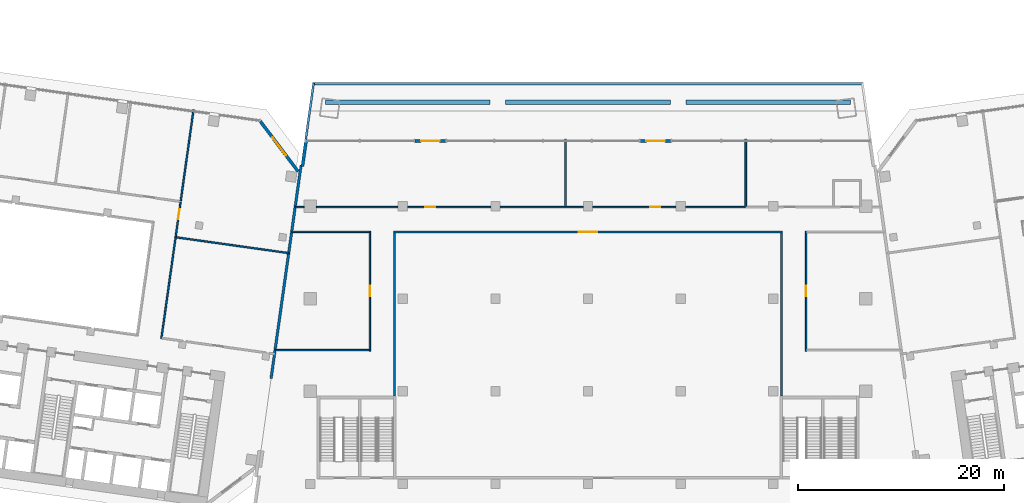
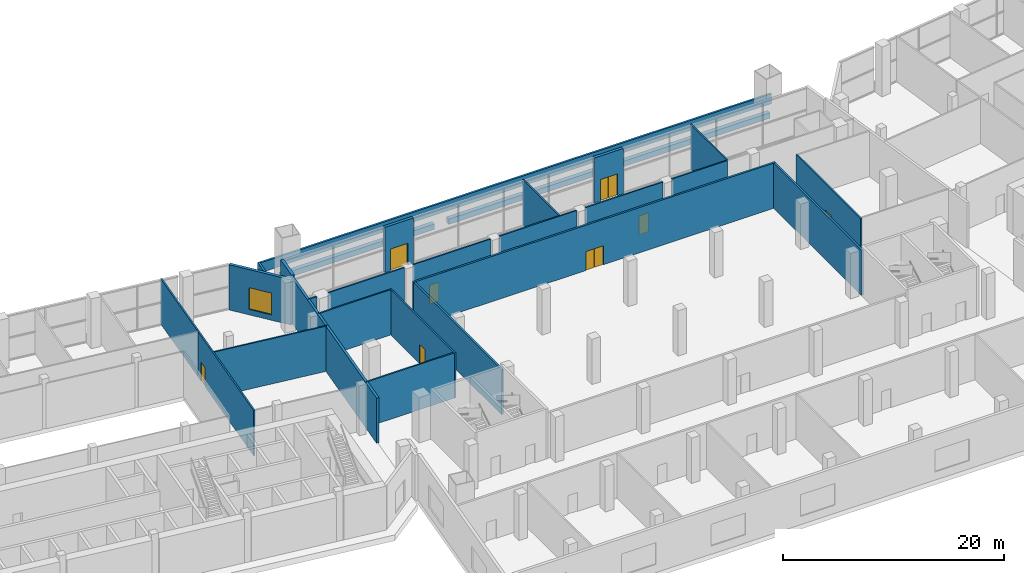
# One storey, part 14 of 23: 28 walls, 8 doors, 1 window, 9 openings.
"""IFC4 building model written with IfcOpenShell, lengths in metres."""

from ifc_helpers import new_model, si_unit, direction, frame, frame_2d, origin, place, context, subcontext, project, spatial, rectangle, extrude, material, layer, layer_set, type_object, element, fill, save


model = new_model("IFC4")

# Units and contexts
model_context = context("Model", 3, precision=1e-05, world=origin(), true_north=direction((0.0, 1.0)))
body_context = subcontext(model_context, "Body", "Model", "MODEL_VIEW")
ifc_project = project(units=[si_unit("LENGTHUNIT", "METRE"), si_unit("AREAUNIT", "SQUARE_METRE"), si_unit("VOLUMEUNIT", "CUBIC_METRE"), si_unit("PLANEANGLEUNIT", "RADIAN"), si_unit("MASSUNIT", "GRAM", prefix="KILO")], contexts=[model_context])

# Site, building, storey
site_placement = place(None, origin())
site = spatial("IfcSite", under=ifc_project, at=site_placement, CompositionType="ELEMENT")
building_placement = place(site_placement, origin())
building = spatial("IfcBuilding", under=site, at=building_placement, Name="Mirante Cascada Hotel Towers", CompositionType="ELEMENT")
storey_placement = place(building_placement, frame((0.0, 0.0, 23.5)))
storey = spatial("IfcBuildingStorey", under=building, at=storey_placement, Name="L03", CompositionType="ELEMENT", Elevation=23.5)

# Walls
ifc_material_1 = material(Name="Masonry block", Category="masonry")
ifc_layer_1 = layer(ifc_material_1, 0.15)
ifc_layer_set_1 = layer_set([ifc_layer_1], Name="Corridor wall 150 block")
wall_type_1 = type_object("IfcWallType", Name="Corridor wall 150 block", PredefinedType="PARTITIONING", material=ifc_layer_set_1)
wall_1_placement = place(storey_placement, frame((-30.4216, -5.0, 0.0), z_axis=(0.0, 0.0, 1.0), x_axis=(1.0, 0.0, 0.0)))
element("IfcWall", 1, at=wall_1_placement, inside=storey, type_object=wall_type_1, Name="Corridor wall P L03", PredefinedType="PARTITIONING", context=body_context, shape_type="SweptSolid", body=[
    extrude(rectangle(XDim=9.1466, YDim=0.15, at=frame_2d((4.5733, 0.0))), origin(), (0.0, 0.0, 1.0), 5.0),
])
wall_2_placement = place(storey_placement, frame((-28.8054, 6.5, 0.0), z_axis=(0.0, 0.0, 1.0), x_axis=(1.0, 0.0, 0.0)))
element("IfcWall", 2, at=wall_2_placement, inside=storey, type_object=wall_type_1, Name="Corridor wall P L03", PredefinedType="PARTITIONING", context=body_context, shape_type="SweptSolid", body=[
    extrude(rectangle(XDim=7.5404, YDim=0.15, at=frame_2d((3.7702, 0.0))), origin(), (0.0, 0.0, 1.0), 5.0),
])
wall_3_placement = place(storey_placement, frame((-28.4681, 8.9, 0.0), z_axis=(0.0, 0.0, 1.0), x_axis=(1.0, 0.0, 0.0)))
element("IfcWall", 3, at=wall_3_placement, inside=storey, type_object=wall_type_1, Name="Corridor wall P L03", PredefinedType="PARTITIONING", context=body_context, shape_type="SweptSolid", body=[
    extrude(rectangle(XDim=0.8681, YDim=0.15, at=frame_2d((0.434, 0.0))), origin(), (0.0, 0.0, 1.0), 5.0),
])

# Wall, opening, door
wall_4_placement = place(storey_placement, frame((21.2, -5.085, 0.0), z_axis=(0.0, 0.0, 1.0), x_axis=(0.0, 1.0, 0.0)))
wall_4 = element("IfcWall", 4, at=wall_4_placement, inside=storey, type_object=wall_type_1, Name="Corridor wall P L03", PredefinedType="PARTITIONING", context=body_context, shape_type="SweptSolid", body=[
    extrude(rectangle(XDim=11.66, YDim=0.15, at=frame_2d((5.83, 0.0))), origin(), (0.0, 0.0, 1.0), 5.0),
])
opening_1_placement = place(wall_4_placement, frame((5.335, 0.0, 0.0)))
opening_1 = element("IfcOpeningElement", 5, at=opening_1_placement, cuts=wall_4, Name="Opening DP-L03-08", PredefinedType="OPENING", context=body_context, shape_type="SweptSolid", body=[
    extrude(rectangle(XDim=1.0, YDim=2.1, at=frame_2d((0.5, 1.05))), frame((0.0, 0.075, 0.0), z_axis=(0.0, -1.0, 0.0), x_axis=(1.0, 0.0, 0.0)), (0.0, 0.0, 1.0), 0.15),
])
ifc_material_2 = material(Name="Timber door leaf", Category="wood")
door_type_1 = type_object("IfcDoorType", Name="Single door 1000x2100", OperationType="NOTDEFINED", PredefinedType="DOOR", material=ifc_material_2)
door_1_placement = place(opening_1_placement, origin())
door_1 = element("IfcDoor", 6, at=door_1_placement, inside=storey, type_object=door_type_1, Name="Door DP-L03-08", OperationType="SINGLE_SWING_RIGHT", OverallHeight=2.1, OverallWidth=1.0, PredefinedType="DOOR", context=body_context, shape_type="SweptSolid", body=[
    extrude(rectangle(XDim=1.0, YDim=2.1, at=frame_2d((0.5, 1.05))), frame((0.0, 0.025, 0.0), z_axis=(0.0, -1.0, 0.0), x_axis=(1.0, 0.0, 0.0)), (0.0, 0.0, 1.0), 0.05),
])
fill(opening_1, door_1)

wall_5_placement = place(storey_placement, frame((-21.2, -5.085, 0.0), z_axis=(0.0, 0.0, 1.0), x_axis=(0.0, 1.0, 0.0)))
wall_5 = element("IfcWall", 7, at=wall_5_placement, inside=storey, type_object=wall_type_1, Name="Corridor wall P L03", PredefinedType="PARTITIONING", context=body_context, shape_type="SweptSolid", body=[
    extrude(rectangle(XDim=11.66, YDim=0.15, at=frame_2d((5.83, 0.0))), origin(), (0.0, 0.0, 1.0), 5.0),
])
opening_2_placement = place(wall_5_placement, frame((5.335, 0.0, 0.0)))
opening_2 = element("IfcOpeningElement", 8, at=opening_2_placement, cuts=wall_5, Name="Opening DP-L03-07", PredefinedType="OPENING", context=body_context, shape_type="SweptSolid", body=[
    extrude(rectangle(XDim=1.0, YDim=2.1, at=frame_2d((0.5, 1.05))), frame((0.0, 0.075, 0.0), z_axis=(0.0, -1.0, 0.0), x_axis=(1.0, 0.0, 0.0)), (0.0, 0.0, 1.0), 0.15),
])
door_2_placement = place(opening_2_placement, origin())
door_2 = element("IfcDoor", 9, at=door_2_placement, inside=storey, type_object=door_type_1, Name="Door DP-L03-07", OperationType="SINGLE_SWING_LEFT", OverallHeight=2.1, OverallWidth=1.0, PredefinedType="DOOR", context=body_context, shape_type="SweptSolid", body=[
    extrude(rectangle(XDim=1.0, YDim=2.1, at=frame_2d((0.5, 1.05))), frame((0.0, 0.025, 0.0), z_axis=(0.0, -1.0, 0.0), x_axis=(1.0, 0.0, 0.0)), (0.0, 0.0, 1.0), 0.05),
])
fill(opening_2, door_2)

wall_6_placement = place(storey_placement, frame((-41.4756, -3.8964, 0.0), z_axis=(0.0, 0.0, 1.0), x_axis=(0.1391716, 0.9902683, 0.0)))
wall_6 = element("IfcWall", 10, at=wall_6_placement, inside=storey, type_object=wall_type_1, Name="Corridor wall T1 L03", PredefinedType="PARTITIONING", context=body_context, shape_type="SweptSolid", body=[
    extrude(rectangle(XDim=13.4, YDim=0.15, at=frame_2d((6.7, 0.0))), origin(), (0.0, 0.0, 1.0), 5.0),
])
opening_3_placement = place(wall_6_placement, frame((11.7325, 0.0, 0.0)))
opening_3 = element("IfcOpeningElement", 11, at=opening_3_placement, cuts=wall_6, Name="Opening DP1-L03-02", PredefinedType="OPENING", context=body_context, shape_type="SweptSolid", body=[
    extrude(rectangle(XDim=1.0, YDim=2.1, at=frame_2d((0.5, 1.05))), frame((0.0, 0.075, 0.0), z_axis=(0.0, -1.0, 0.0), x_axis=(1.0, 0.0, 0.0)), (0.0, 0.0, 1.0), 0.15),
])
door_3_placement = place(opening_3_placement, frame((1.0, 0.0, 0.0), z_axis=(0.0, 0.0, 1.0), x_axis=(-1.0, 0.0, 0.0)))
door_3 = element("IfcDoor", 12, at=door_3_placement, inside=storey, type_object=door_type_1, Name="Door DP1-L03-02", OperationType="SINGLE_SWING_RIGHT", OverallHeight=2.1, OverallWidth=1.0, PredefinedType="DOOR", context=body_context, shape_type="SweptSolid", body=[
    extrude(rectangle(XDim=1.0, YDim=2.1, at=frame_2d((0.5, 1.05))), frame((0.0, 0.025, 0.0), z_axis=(0.0, -1.0, 0.0), x_axis=(1.0, 0.0, 0.0)), (0.0, 0.0, 1.0), 0.05),
])
fill(opening_3, door_3)

# Wall
wall_7_placement = place(storey_placement, frame((-26.4, 8.9, 0.0), z_axis=(0.0, 0.0, 1.0), x_axis=(1.0, 0.0, 0.0)))
element("IfcWall", 13, at=wall_7_placement, inside=storey, type_object=wall_type_1, Name="Corridor wall P L03", PredefinedType="PARTITIONING", context=body_context, shape_type="SweptSolid", body=[
    extrude(rectangle(XDim=7.95, YDim=0.15, at=frame_2d((3.975, 0.0))), origin(), (0.0, 0.0, 1.0), 5.0),
])

# Wall, opening, door
wall_8_placement = place(storey_placement, frame((-17.55, 8.9, 0.0), z_axis=(0.0, 0.0, 1.0), x_axis=(1.0, 0.0, 0.0)))
wall_8 = element("IfcWall", 14, at=wall_8_placement, inside=storey, type_object=wall_type_1, Name="Corridor wall P L03", PredefinedType="PARTITIONING", context=body_context, shape_type="SweptSolid", body=[
    extrude(rectangle(XDim=8.1, YDim=0.15, at=frame_2d((4.05, 0.0))), origin(), (0.0, 0.0, 1.0), 5.0),
])
opening_4_placement = place(wall_8_placement, frame((1.721, 0.0, 0.0)))
opening_4 = element("IfcOpeningElement", 15, at=opening_4_placement, cuts=wall_8, Name="Opening DP-L03-15", PredefinedType="OPENING", context=body_context, shape_type="SweptSolid", body=[
    extrude(rectangle(XDim=1.0, YDim=2.1, at=frame_2d((0.5, 1.05))), frame((0.0, 0.075, 0.0), z_axis=(0.0, -1.0, 0.0), x_axis=(1.0, 0.0, 0.0)), (0.0, 0.0, 1.0), 0.15),
])
door_4_placement = place(opening_4_placement, origin())
door_4 = element("IfcDoor", 16, at=door_4_placement, inside=storey, type_object=door_type_1, Name="Door DP-L03-15", OperationType="SINGLE_SWING_LEFT", OverallHeight=2.1, OverallWidth=1.0, PredefinedType="DOOR", context=body_context, shape_type="SweptSolid", body=[
    extrude(rectangle(XDim=1.0, YDim=2.1, at=frame_2d((0.5, 1.05))), frame((0.0, 0.025, 0.0), z_axis=(0.0, -1.0, 0.0), x_axis=(1.0, 0.0, 0.0)), (0.0, 0.0, 1.0), 0.05),
])
fill(opening_4, door_4)

# Wall
wall_9_placement = place(storey_placement, frame((-8.55, 8.9, 0.0), z_axis=(0.0, 0.0, 1.0), x_axis=(1.0, 0.0, 0.0)))
element("IfcWall", 17, at=wall_9_placement, inside=storey, type_object=wall_type_1, Name="Corridor wall P L03", PredefinedType="PARTITIONING", context=body_context, shape_type="SweptSolid", body=[
    extrude(rectangle(XDim=8.1, YDim=0.15, at=frame_2d((4.05, 0.0))), origin(), (0.0, 0.0, 1.0), 5.0),
])

# Wall, opening, door
wall_10_placement = place(storey_placement, frame((0.45, 8.9, 0.0), z_axis=(0.0, 0.0, 1.0), x_axis=(1.0, 0.0, 0.0)))
wall_10 = element("IfcWall", 18, at=wall_10_placement, inside=storey, type_object=wall_type_1, Name="Corridor wall P L03", PredefinedType="PARTITIONING", context=body_context, shape_type="SweptSolid", body=[
    extrude(rectangle(XDim=8.1, YDim=0.15, at=frame_2d((4.05, 0.0))), origin(), (0.0, 0.0, 1.0), 5.0),
])
opening_5_placement = place(wall_10_placement, frame((5.5871, 0.0, 0.0)))
opening_5 = element("IfcOpeningElement", 19, at=opening_5_placement, cuts=wall_10, Name="Opening DP-L03-16", PredefinedType="OPENING", context=body_context, shape_type="SweptSolid", body=[
    extrude(rectangle(XDim=1.0, YDim=2.1, at=frame_2d((0.5, 1.05))), frame((0.0, 0.075, 0.0), z_axis=(0.0, -1.0, 0.0), x_axis=(1.0, 0.0, 0.0)), (0.0, 0.0, 1.0), 0.15),
])
door_5_placement = place(opening_5_placement, frame((1.0, 0.0, 0.0), z_axis=(0.0, 0.0, 1.0), x_axis=(-1.0, 0.0, 0.0)))
door_5 = element("IfcDoor", 20, at=door_5_placement, inside=storey, type_object=door_type_1, Name="Door DP-L03-16", OperationType="SINGLE_SWING_RIGHT", OverallHeight=2.1, OverallWidth=1.0, PredefinedType="DOOR", context=body_context, shape_type="SweptSolid", body=[
    extrude(rectangle(XDim=1.0, YDim=2.1, at=frame_2d((0.5, 1.05))), frame((0.0, 0.025, 0.0), z_axis=(0.0, -1.0, 0.0), x_axis=(1.0, 0.0, 0.0)), (0.0, 0.0, 1.0), 0.05),
])
fill(opening_5, door_5)

# Wall
wall_11_placement = place(storey_placement, frame((9.45, 8.9, 0.0), z_axis=(0.0, 0.0, 1.0), x_axis=(1.0, 0.0, 0.0)))
element("IfcWall", 21, at=wall_11_placement, inside=storey, type_object=wall_type_1, Name="Corridor wall P L03", PredefinedType="PARTITIONING", context=body_context, shape_type="SweptSolid", body=[
    extrude(rectangle(XDim=5.814, YDim=0.15, at=frame_2d((2.907, 0.0))), origin(), (0.0, 0.0, 1.0), 5.0),
])

# Wall, opening, door
ifc_material_3 = material(Name="Masonry block", Category="masonry")
ifc_layer_2 = layer(ifc_material_3, 0.2)
ifc_layer_set_2 = layer_set([ifc_layer_2], Name="Hall wall 200 block")
wall_type_2 = type_object("IfcWallType", Name="Hall wall 200 block", PredefinedType="PARTITIONING", material=ifc_layer_set_2)
wall_12_placement = place(storey_placement, frame((-18.91, 6.5, 0.0), z_axis=(0.0, 0.0, 1.0), x_axis=(1.0, 0.0, 0.0)))
wall_12 = element("IfcWall", 22, at=wall_12_placement, inside=storey, type_object=wall_type_2, Name="Hall wall P L03", PredefinedType="PARTITIONING", context=body_context, shape_type="SweptSolid", body=[
    extrude(rectangle(XDim=37.82, YDim=0.2, at=frame_2d((18.91, 0.0))), origin(), (0.0, 0.0, 1.0), 5.0),
])
opening_6_placement = place(wall_12_placement, frame((18.01, 0.0, 0.0)))
opening_6 = element("IfcOpeningElement", 23, at=opening_6_placement, cuts=wall_12, Name="Opening DP-L03-06", PredefinedType="OPENING", context=body_context, shape_type="SweptSolid", body=[
    extrude(rectangle(XDim=1.8, YDim=2.1, at=frame_2d((0.9, 1.05))), frame((0.0, 0.1, 0.0), z_axis=(0.0, -1.0, 0.0), x_axis=(1.0, 0.0, 0.0)), (0.0, 0.0, 1.0), 0.2),
])
ifc_material_4 = material(Name="Timber door leaf", Category="wood")
door_type_2 = type_object("IfcDoorType", Name="Double door 1800x2100", OperationType="DOUBLE_DOOR_SINGLE_SWING", PredefinedType="DOOR", material=ifc_material_4)
door_6_placement = place(opening_6_placement, origin())
door_6 = element("IfcDoor", 24, at=door_6_placement, inside=storey, type_object=door_type_2, Name="Door DP-L03-06", OperationType="DOUBLE_DOOR_SINGLE_SWING", OverallHeight=2.1, OverallWidth=1.8, PredefinedType="DOOR", context=body_context, shape_type="SweptSolid", body=[
    extrude(rectangle(XDim=0.895, YDim=2.1, at=frame_2d((0.4475, 1.05))), frame((0.0, 0.025, 0.0), z_axis=(0.0, -1.0, 0.0), x_axis=(1.0, 0.0, 0.0)), (0.0, 0.0, 1.0), 0.05),
    extrude(rectangle(XDim=0.895, YDim=2.1, at=frame_2d((1.3525, 1.05))), frame((0.0, 0.025, 0.0), z_axis=(0.0, -1.0, 0.0), x_axis=(1.0, 0.0, 0.0)), (0.0, 0.0, 1.0), 0.05),
])
fill(opening_6, door_6)

# Walls
for number, where, z_axis, x_axis, name in (
    (25, (18.8, -9.475, 0.0), (0.0, 0.0, 1.0), (0.0, 1.0, 0.0), "Hall wall P L03"),
    (26, (-18.8, -9.475, 0.0), (0.0, 0.0, 1.0), (0.0, 1.0, 0.0), "Hall wall P L03"),
):
    element("IfcWall", number, at=place(storey_placement, frame(where, z_axis=z_axis, x_axis=x_axis)), inside=storey, type_object=wall_type_2, Name=name, PredefinedType="PARTITIONING", context=body_context, shape_type="SweptSolid", body=[
        extrude(rectangle(XDim=15.875, YDim=0.2, at=frame_2d((7.9375, 0.0))), origin(), (0.0, 0.0, 1.0), 5.0),
    ])
ifc_material_5 = material(Name="Masonry block", Category="masonry")
ifc_layer_3 = layer(ifc_material_5, 0.15)
ifc_layer_set_3 = layer_set([ifc_layer_3], Name="Partition 150 block")
wall_type_3 = type_object("IfcWallType", Name="Partition 150 block", PredefinedType="PARTITIONING", material=ifc_layer_set_3)
wall_13_placement = place(storey_placement, frame((-2.1899, 8.975, 0.0), z_axis=(0.0, 0.0, 1.0), x_axis=(0.0, 1.0, 0.0)))
element("IfcWall", 27, at=wall_13_placement, inside=storey, type_object=wall_type_3, Name="Partition P L03", PredefinedType="PARTITIONING", context=body_context, shape_type="SweptSolid", body=[
    extrude(rectangle(XDim=6.525, YDim=0.15, at=frame_2d((3.2625, 0.0))), origin(), (0.0, 0.0, 1.0), 5.0),
])
wall_14_placement = place(storey_placement, frame((-40.0131, 5.9711, 0.0), z_axis=(0.0, 0.0, 1.0), x_axis=(0.9902679, -0.1391746, 0.0)))
element("IfcWall", 28, at=wall_14_placement, inside=storey, type_object=wall_type_3, Name="Partition T1 L03", PredefinedType="PARTITIONING", context=body_context, shape_type="SweptSolid", body=[
    extrude(rectangle(XDim=11.025, YDim=0.15, at=frame_2d((5.5125, 0.0))), origin(), (0.0, 0.0, 1.0), 5.0),
])
wall_15_placement = place(storey_placement, frame((-39.5912, 9.5119, 0.0), z_axis=(0.0, 0.0, 1.0), x_axis=(0.1391725, 0.9902682, 0.0)))
element("IfcWall", 29, at=wall_15_placement, inside=storey, type_object=wall_type_3, Name="Partition T1 L03", PredefinedType="PARTITIONING", context=body_context, shape_type="SweptSolid", body=[
    extrude(rectangle(XDim=8.935, YDim=0.15, at=frame_2d((4.4675, 0.0))), origin(), (0.0, 0.0, 1.0), 5.0),
])
ifc_material_6 = material(Name="Masonry block", Category="masonry")
ifc_layer_4 = layer(ifc_material_6, 0.25)
ifc_layer_set_4 = layer_set([ifc_layer_4], Name="Plant room wall 250 block EI 120")
wall_type_4 = type_object("IfcWallType", Name="Plant room wall 250 block EI 120", PredefinedType="PARTITIONING", material=ifc_layer_set_4)
wall_16_placement = place(storey_placement, frame((-30.8072, -7.7436, 0.0), z_axis=(0.0, 0.0, 1.0), x_axis=(0.1391737, 0.990268, 0.0)))
element("IfcWall", 30, at=wall_16_placement, inside=storey, type_object=wall_type_4, Name="Compartment wall T1 L03", PredefinedType="PARTITIONING", context=body_context, shape_type="SweptSolid", body=[
    extrude(rectangle(XDim=20.9501, YDim=0.25, at=frame_2d((10.475, 0.0))), origin(), (0.0, 0.0, 1.0), 5.0),
])
ifc_material_7 = material(Name="Precast concrete C40/50", Category="concrete")
ifc_layer_5 = layer(ifc_material_7, 0.45)
ifc_layer_set_5 = layer_set([ifc_layer_5], Name="Planter wall 450 concrete C40/50")
wall_type_5 = type_object("IfcWallType", Name="Planter wall 450 concrete C40/50", PredefinedType="PARAPET", material=ifc_layer_set_5)
for number, where, z_axis, x_axis, name in (
    (31, (-25.5198, 19.1, 0.0), (0.0, 0.0, 1.0), (1.0, 0.0, 0.0), "PLANTER podium L02 bed 1.1"),
    (32, (-8.0066, 19.1, 0.0), (0.0, 0.0, 1.0), (1.0, 0.0, 0.0), "PLANTER podium L02 bed 1.2"),
    (33, (9.5066, 19.1, 0.0), (0.0, 0.0, 1.0), (1.0, 0.0, 0.0), "PLANTER podium L02 bed 1.3"),
):
    element("IfcWall", number, at=place(storey_placement, frame(where, z_axis=z_axis, x_axis=x_axis)), inside=storey, type_object=wall_type_5, Name=name, PredefinedType="PARAPET", context=body_context, shape_type="SweptSolid", body=[
        extrude(rectangle(XDim=16.0132, YDim=0.45, at=frame_2d((8.0066, 0.0))), origin(), (0.0, 0.0, 1.0), 0.6),
    ])

# Wall, opening, window
ifc_material_8 = material(Name="Precast concrete C40/50", Category="concrete")
ifc_layer_6 = layer(ifc_material_8, 0.3)
ifc_layer_set_6 = layer_set([ifc_layer_6], Name="Precast concrete C40/50 cladding wall 300")
wall_type_6 = type_object("IfcWallType", Name="Precast concrete C40/50 cladding wall 300", PredefinedType="STANDARD", material=ifc_layer_set_6)
wall_17_placement = place(storey_placement, frame((-31.857, 17.252, 0.0), z_axis=(0.0, 0.0, 1.0), x_axis=(0.6018141, -0.7986362, 0.0)))
wall_17 = element("IfcWall", 34, at=wall_17_placement, inside=storey, type_object=wall_type_6, Name="Corner cladding wall T1 L03 front inner", PredefinedType="STANDARD", context=body_context, shape_type="SweptSolid", body=[
    extrude(rectangle(XDim=6.1157, YDim=0.3, at=frame_2d((3.0578, 0.0))), origin(), (0.0, 0.0, 1.0), 5.0),
])
opening_7_placement = place(wall_17_placement, frame((1.9578, 0.0, 0.6)))
opening_7 = element("IfcOpeningElement", 35, at=opening_7_placement, cuts=wall_17, Name="Opening W1-03-04", PredefinedType="OPENING", context=body_context, shape_type="SweptSolid", body=[
    extrude(rectangle(XDim=2.2, YDim=2.4, at=frame_2d((1.1, 1.2))), frame((0.0, 0.15, 0.0), z_axis=(0.0, -1.0, 0.0), x_axis=(1.0, 0.0, 0.0)), (0.0, 0.0, 1.0), 0.3),
])
ifc_material_9 = material(Name="Aluminium frame with clear double glazing", Category="aluminium")
window_type = type_object("IfcWindowType", Name="Corner suite window 2200x2400", PartitioningType="DOUBLE_PANEL_VERTICAL", PredefinedType="WINDOW", material=ifc_material_9)
window_placement = place(opening_7_placement, origin())
window = element("IfcWindow", 36, at=window_placement, inside=storey, type_object=window_type, Name="Window W1-03-04", OverallHeight=2.4, OverallWidth=2.2, PartitioningType="SINGLE_PANEL", PredefinedType="WINDOW", context=body_context, shape_type="SweptSolid", body=[
    extrude(rectangle(XDim=2.2, YDim=2.4, at=frame_2d((1.1, 1.2))), frame((0.0, 0.03, 0.0), z_axis=(0.0, -1.0, 0.0), x_axis=(1.0, 0.0, 0.0)), (0.0, 0.0, 1.0), 0.06),
])
fill(opening_7, window)

# Wall, opening, door
wall_18_placement = place(storey_placement, frame((8.07, 15.35, 0.0), z_axis=(0.0, 0.0, 1.0), x_axis=(-1.0, 0.0, 0.0)))
wall_18 = element("IfcWall", 37, at=wall_18_placement, inside=storey, type_object=wall_type_6, Name="Entrance pier wall L03 P:L03:3:2", PredefinedType="STANDARD", context=body_context, shape_type="SweptSolid", body=[
    extrude(rectangle(XDim=3.0, YDim=0.3, at=frame_2d((1.5, 0.0))), origin(), (0.0, 0.0, 1.0), 5.0),
])
opening_8_placement = place(wall_18_placement, frame((0.6, 0.0, 0.0)))
opening_8 = element("IfcOpeningElement", 38, at=opening_8_placement, cuts=wall_18, Name="Opening DP-03-91", PredefinedType="OPENING", context=body_context, shape_type="SweptSolid", body=[
    extrude(rectangle(XDim=1.8, YDim=2.4, at=frame_2d((0.9, 1.2))), frame((0.0, 0.15, 0.0), z_axis=(0.0, -1.0, 0.0), x_axis=(1.0, 0.0, 0.0)), (0.0, 0.0, 1.0), 0.3),
])
ifc_material_10 = material(Name="Aluminium frame with clear laminated glazing", Category="aluminium")
door_type_3 = type_object("IfcDoorType", Name="Terrace double door 1800x2400", OperationType="DOUBLE_DOOR_SINGLE_SWING", PredefinedType="DOOR", material=ifc_material_10)
door_7_placement = place(opening_8_placement, origin())
door_7 = element("IfcDoor", 39, at=door_7_placement, inside=storey, type_object=door_type_3, Name="Spa relaxation lounge door DP-03-91", OperationType="DOUBLE_DOOR_SINGLE_SWING", OverallHeight=2.4, OverallWidth=1.8, PredefinedType="DOOR", context=body_context, shape_type="SweptSolid", body=[
    extrude(rectangle(XDim=0.895, YDim=2.4, at=frame_2d((0.4475, 1.2))), frame((0.0, 0.025, 0.0), z_axis=(0.0, -1.0, 0.0), x_axis=(1.0, 0.0, 0.0)), (0.0, 0.0, 1.0), 0.05),
    extrude(rectangle(XDim=0.895, YDim=2.4, at=frame_2d((1.3525, 1.2))), frame((0.0, 0.025, 0.0), z_axis=(0.0, -1.0, 0.0), x_axis=(1.0, 0.0, 0.0)), (0.0, 0.0, 1.0), 0.05),
])
fill(opening_8, door_7)

wall_19_placement = place(storey_placement, frame((-13.829, 15.35, 0.0), z_axis=(0.0, 0.0, 1.0), x_axis=(-1.0, 0.0, 0.0)))
wall_19 = element("IfcWall", 40, at=wall_19_placement, inside=storey, type_object=wall_type_6, Name="Entrance pier wall L03 P:L03:3:4", PredefinedType="STANDARD", context=body_context, shape_type="SweptSolid", body=[
    extrude(rectangle(XDim=3.0, YDim=0.3, at=frame_2d((1.5, 0.0))), origin(), (0.0, 0.0, 1.0), 5.0),
])
opening_9_placement = place(wall_19_placement, frame((0.6, 0.0, 0.0)))
opening_9 = element("IfcOpeningElement", 41, at=opening_9_placement, cuts=wall_19, Name="Opening DP-03-92", PredefinedType="OPENING", context=body_context, shape_type="SweptSolid", body=[
    extrude(rectangle(XDim=1.8, YDim=2.4, at=frame_2d((0.9, 1.2))), frame((0.0, 0.15, 0.0), z_axis=(0.0, -1.0, 0.0), x_axis=(1.0, 0.0, 0.0)), (0.0, 0.0, 1.0), 0.3),
])
door_8_placement = place(opening_9_placement, origin())
door_8 = element("IfcDoor", 42, at=door_8_placement, inside=storey, type_object=door_type_3, Name="Fitness studio door DP-03-92", OperationType="DOUBLE_DOOR_SINGLE_SWING", OverallHeight=2.4, OverallWidth=1.8, PredefinedType="DOOR", context=body_context, shape_type="SweptSolid", body=[
    extrude(rectangle(XDim=0.895, YDim=2.4, at=frame_2d((0.4475, 1.2))), frame((0.0, 0.025, 0.0), z_axis=(0.0, -1.0, 0.0), x_axis=(1.0, 0.0, 0.0)), (0.0, 0.0, 1.0), 0.05),
    extrude(rectangle(XDim=0.895, YDim=2.4, at=frame_2d((1.3525, 1.2))), frame((0.0, 0.025, 0.0), z_axis=(0.0, -1.0, 0.0), x_axis=(1.0, 0.0, 0.0)), (0.0, 0.0, 1.0), 0.05),
])
fill(opening_9, door_8)

# Walls
wall_20_placement = place(storey_placement, frame((-27.7611, 12.853, 0.0), z_axis=(0.0, 0.0, 1.0), x_axis=(0.1391889, 0.9902659, 0.0)))
element("IfcWall", 43, at=wall_20_placement, inside=storey, type_object=wall_type_6, Name="Corner closure wall L03 1.1", PredefinedType="STANDARD", context=body_context, shape_type="SweptSolid", body=[
    extrude(rectangle(XDim=2.6719, YDim=0.3, at=frame_2d((1.336, 0.0))), origin(), (0.0, 0.0, 1.0), 5.0),
])
ifc_material_11 = material(Name="Precast concrete C40/50", Category="concrete")
ifc_layer_7 = layer(ifc_material_11, 0.2)
ifc_layer_set_7 = layer_set([ifc_layer_7], Name="Terrace parapet wall 200 concrete C40/50")
wall_type_7 = type_object("IfcWallType", Name="Terrace parapet wall 200 concrete C40/50", PredefinedType="PARAPET", material=ifc_layer_set_7)
wall_21_placement = place(storey_placement, frame((-26.6685, 20.9861, 0.0), z_axis=(0.0, 0.0, 1.0), x_axis=(-0.1391776, -0.9902674, 0.0)))
element("IfcWall", 44, at=wall_21_placement, inside=storey, type_object=wall_type_7, Name="Terrace parapet podium L02 1.1.1", PredefinedType="PARAPET", context=body_context, shape_type="SweptSolid", body=[
    extrude(rectangle(XDim=5.5541, YDim=0.2, at=frame_2d((2.777, 0.0))), origin(), (0.0, 0.0, 1.0), 1.1),
])
wall_22_placement = place(storey_placement, frame((26.7676, 20.9, 0.0), z_axis=(0.0, 0.0, 1.0), x_axis=(-1.0, 0.0, 0.0)))
element("IfcWall", 45, at=wall_22_placement, inside=storey, type_object=wall_type_7, Name="Terrace parapet podium L02 1.3.1", PredefinedType="PARAPET", context=body_context, shape_type="SweptSolid", body=[
    extrude(rectangle(XDim=53.5352, YDim=0.2, at=frame_2d((26.7676, 0.0))), origin(), (0.0, 0.0, 1.0), 1.1),
])
ifc_material_12 = material(Name="Masonry block", Category="masonry")
ifc_layer_8 = layer(ifc_material_12, 0.15)
ifc_layer_set_8 = layer_set([ifc_layer_8], Name="Wet room wall 150 block")
wall_type_8 = type_object("IfcWallType", Name="Wet room wall 150 block", PredefinedType="PARTITIONING", material=ifc_layer_set_8)
wall_23_placement = place(storey_placement, frame((15.329, 8.975, 0.0), z_axis=(0.0, 0.0, 1.0), x_axis=(0.0, 1.0, 0.0)))
element("IfcWall", 46, at=wall_23_placement, inside=storey, type_object=wall_type_8, Name="Wet room wall P L03", PredefinedType="PARTITIONING", context=body_context, shape_type="SweptSolid", body=[
    extrude(rectangle(XDim=6.525, YDim=0.15, at=frame_2d((3.2625, 0.0))), origin(), (0.0, 0.0, 1.0), 5.0),
])

save(model, "model.ifc")
